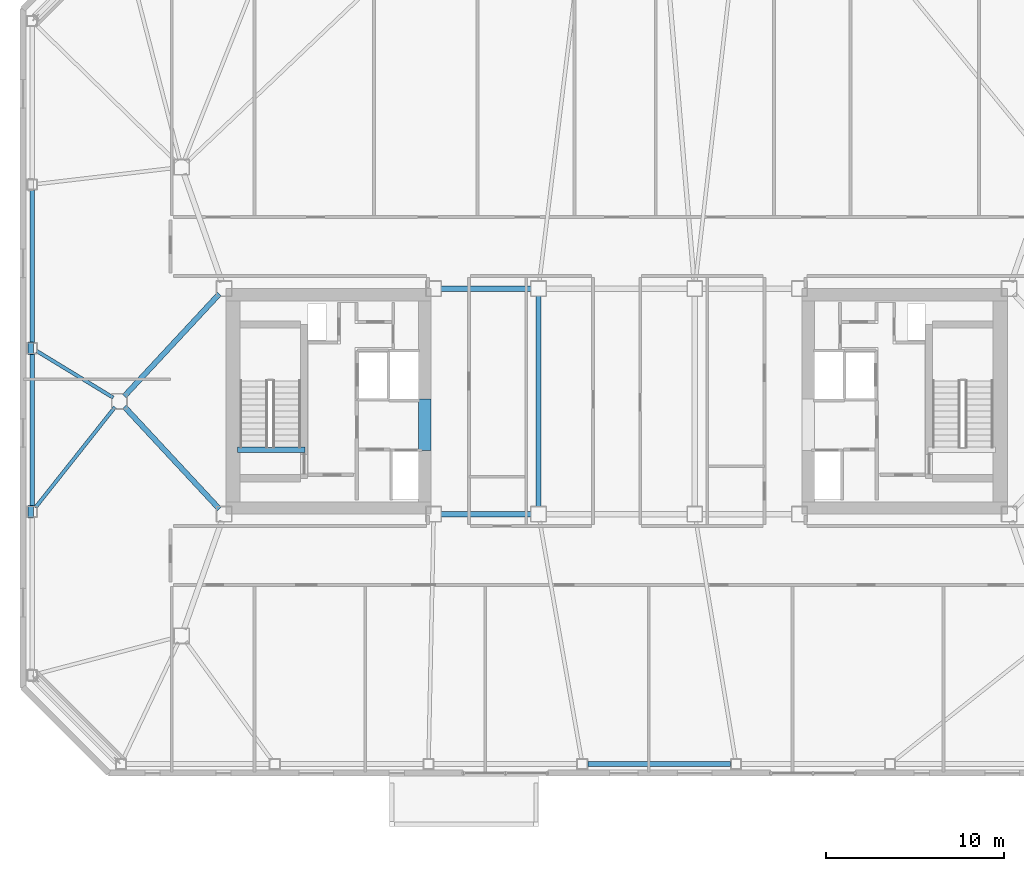
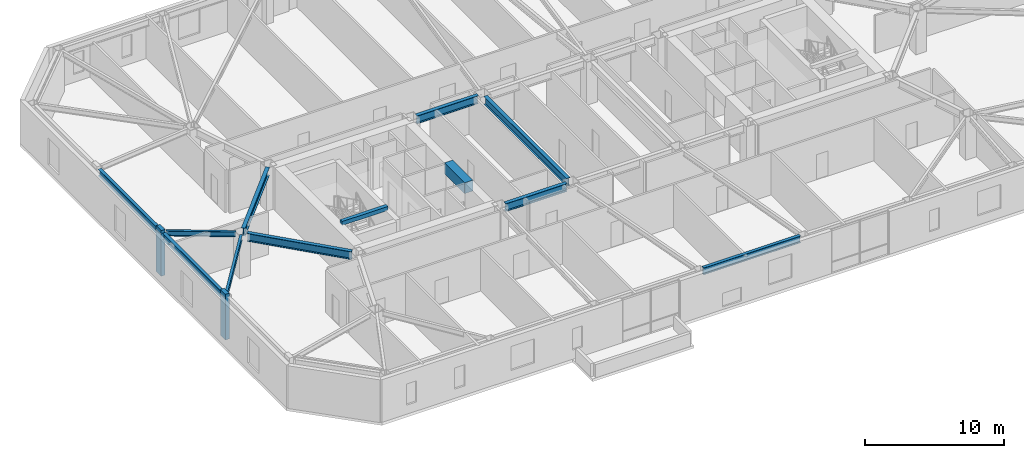
# One storey, part 3 of 18: 12 beams, 2 members.
"""IFC4 building model written with IfcOpenShell, lengths in metres."""

from ifc_helpers import new_model, si_unit, direction, frame, origin, origin_2d, place, context, subcontext, project, spatial, rectangle, i_section, extrude, material, material_profile, profile_set, type_object, element, save


model = new_model("IFC4")

# Units and contexts
model_context = context("Model", 3, precision=1e-05, world=origin(), true_north=direction((0.0, 1.0)))
body_context = subcontext(model_context, "Body", "Model", "MODEL_VIEW")
ifc_project = project(units=[si_unit("LENGTHUNIT", "METRE"), si_unit("AREAUNIT", "SQUARE_METRE"), si_unit("VOLUMEUNIT", "CUBIC_METRE"), si_unit("PLANEANGLEUNIT", "RADIAN"), si_unit("MASSUNIT", "GRAM", prefix="KILO")], contexts=[model_context])

# Site, building, storey
site_placement = place(None, origin())
site = spatial("IfcSite", under=ifc_project, at=site_placement, CompositionType="ELEMENT")
building_placement = place(site_placement, origin())
building = spatial("IfcBuilding", under=site, at=building_placement, Name="Tavrogorsk Clinical Tower", CompositionType="ELEMENT")
storey_placement = place(building_placement, frame((0.0, 0.0, 168.199951171875)))
storey = spatial("IfcBuildingStorey", under=building, at=storey_placement, Name="L38", CompositionType="ELEMENT", Elevation=168.199951171875)

# Beams
ifc_material_1 = material(Name="Concrete B80", Category="concrete")
ifc_material_profile_1 = material_profile(ifc_material_1, rectangle(XDim=0.699951171875, YDim=0.949951171875, at=origin_2d()), Name="RC-CB-700x950")
ifc_profile_set_1 = profile_set([ifc_material_profile_1], Name="Concrete B80")
beam_type_1 = type_object("IfcBeamType", Name="CouplingBeam_RC700x950", PredefinedType="LINTEL", material=ifc_profile_set_1)
beam_1_placement = place(storey_placement, frame((-10.800048828125, -2.75, 3.26513671875), z_axis=(0.0, 1.0, 0.0), x_axis=(-1.0, 0.0, 0.0)))
element("IfcBeam", 1, at=beam_1_placement, inside=storey, type_object=beam_type_1, Name="L38 Core West Coupling Beam", PredefinedType="LINTEL", context=body_context, shape_type="SweptSolid", body=[
    extrude(rectangle(XDim=0.699951171875, YDim=0.949951171875, at=origin_2d()), origin(), (0.0, 0.0, 1.0), 2.89990234375),
])
ifc_material_2 = material(Name="Structural steel S355", Category="steel")
ifc_material_profile_2 = material_profile(ifc_material_2, i_section(OverallWidth=0.199951171875, OverallDepth=0.449951171875, WebThickness=0.011474609375, FlangeThickness=0.01806640625, at=origin_2d()), Name="B-450x200x11.5x18")
ifc_profile_set_2 = profile_set([ifc_material_profile_2], Name="Structural steel S355")
beam_type_2 = type_object("IfcBeamType", Name="FloorBeam_B450", PredefinedType="BEAM", material=ifc_profile_set_2)
beam_2_placement = place(storey_placement, frame((-28.35009765625, 0.21337890625, 3.51513671875), z_axis=(-0.853789879369, 0.520617750262, 0.0), x_axis=(-0.520617750262, -0.853789879369, 0.0)))
element("IfcBeam", 2, at=beam_2_placement, inside=storey, type_object=beam_type_2, Name="L38 Radial Floor Beam W3", PredefinedType="BEAM", context=body_context, shape_type="SweptSolid", body=[
    extrude(i_section(OverallWidth=0.199951171875, OverallDepth=0.449951171875, WebThickness=0.011474609375, FlangeThickness=0.01806640625, at=origin_2d()), origin(), (0.0, 0.0, 1.0), 5.04443359375),
])
beam_3_placement = place(storey_placement, frame((-28.254638671875, -0.3212890625, 3.51513671875), z_axis=(-0.620993662543, -0.783815584868, 0.0), x_axis=(0.783815584868, -0.620993662543, 0.0)))
element("IfcBeam", 3, at=beam_3_placement, inside=storey, type_object=beam_type_2, Name="L38 Radial Floor Beam W4", PredefinedType="BEAM", context=body_context, shape_type="SweptSolid", body=[
    extrude(i_section(OverallWidth=0.199951171875, OverallDepth=0.449951171875, WebThickness=0.011474609375, FlangeThickness=0.01806640625, at=origin_2d()), origin(), (0.0, 0.0, 1.0), 7.204833984375),
])

# Members
ifc_material_3 = material(Name="Precast concrete B45 with limestone cladding", Category="masonry")
ifc_material_profile_3 = material_profile(ifc_material_3, rectangle(XDim=0.320068359375, YDim=0.719970703125, at=origin_2d()), Name="LIMESTONE-FIN-320x720")
ifc_profile_set_3 = profile_set([ifc_material_profile_3], Name="Precast concrete B45 with limestone cladding")
member_type = type_object("IfcMemberType", Name="LimestonePleatFin_320x720", PredefinedType="USERDEFINED", material=ifc_profile_set_3)
for number, where, z_axis, x_axis, name in (
    (4, (-33.0, 3.0, 0.0), (0.0, 0.0, 1.0), (1.0, 0.0, 0.0), "L38 W Pleated Stone Fin 2"),
    (5, (-33.0, -6.2099609375, 0.0), (0.0, 0.0, 1.0), (1.0, 0.0, 0.0), "L38 W Pleated Stone Fin 3"),
):
    element("IfcMember", number, at=place(storey_placement, frame(where, z_axis=z_axis, x_axis=x_axis)), inside=storey, type_object=member_type, Name=name, ObjectType="FIN", PredefinedType="USERDEFINED", context=body_context, shape_type="SweptSolid", body=[
        extrude(rectangle(XDim=0.320068359375, YDim=0.719970703125, at=origin_2d()), origin(), (0.0, 0.0, 1.0), 4.0),
    ])

# Beams
ifc_material_4 = material(Name="Structural steel S390", Category="steel")
ifc_material_profile_4 = material_profile(ifc_material_4, i_section(OverallWidth=0.300048828125, OverallDepth=0.699951171875, WebThickness=0.01708984375, FlangeThickness=0.028076171875, at=origin_2d()), Name="B-700x300x17x28")
ifc_profile_set_4 = profile_set([ifc_material_profile_4], Name="Structural steel S390")
beam_type_3 = type_object("IfcBeamType", Name="PrimaryGirder_B700", PredefinedType="USERDEFINED", material=ifc_profile_set_4)
for number, where, z_axis, x_axis, name in (
    (6, (-9.889892578125, -6.35009765625, 3.39013671875), (1.0, 0.0, 0.0), (0.0, 1.0, 0.0), "L38 Primary Spine Girder MG-01"),
    (7, (-9.889892578125, 6.35009765625, 3.39013671875), (1.0, 0.0, 0.0), (0.0, 1.0, 0.0), "L38 Primary Spine Girder MG-02"),
):
    element("IfcBeam", number, at=place(storey_placement, frame(where, z_axis=z_axis, x_axis=x_axis)), inside=storey, type_object=beam_type_3, Name=name, ObjectType="GIRDER", PredefinedType="USERDEFINED", context=body_context, shape_type="SweptSolid", body=[
        extrude(i_section(OverallWidth=0.300048828125, OverallDepth=0.699951171875, WebThickness=0.01708984375, FlangeThickness=0.028076171875, at=origin_2d()), origin(), (0.0, 0.0, 1.0), 5.079833984375),
    ])
beam_4_placement = place(storey_placement, frame((-4.39990234375, -5.93994140625, 3.39013671875), z_axis=(0.0, 1.0, 0.0), x_axis=(-1.0, 0.0, 0.0)))
element("IfcBeam", 8, at=beam_4_placement, inside=storey, type_object=beam_type_3, Name="L38 Primary Spine Girder MG-07", ObjectType="GIRDER", PredefinedType="USERDEFINED", context=body_context, shape_type="SweptSolid", body=[
    extrude(i_section(OverallWidth=0.300048828125, OverallDepth=0.699951171875, WebThickness=0.01708984375, FlangeThickness=0.028076171875, at=origin_2d()), origin(), (0.0, 0.0, 1.0), 11.8798828125),
])
for number, where, z_axis, x_axis, name in (
    (9, (-27.720947265625, -0.30029296875, 3.39013671875), (0.680669430215, -0.732590695253, 0.0), (0.732590695253, 0.680669430215, 0.0), "L38 Spine Link Girder OPG-5"),
    (10, (-27.720947265625, 0.30029296875, 3.39013671875), (0.680669430215, 0.732590695253, 0.0), (-0.732590695253, 0.680669430215, 0.0), "L38 Spine Link Girder OPG-6"),
):
    element("IfcBeam", number, at=place(storey_placement, frame(where, z_axis=z_axis, x_axis=x_axis)), inside=storey, type_object=beam_type_3, Name=name, ObjectType="GIRDER", PredefinedType="USERDEFINED", context=body_context, shape_type="SweptSolid", body=[
        extrude(i_section(OverallWidth=0.300048828125, OverallDepth=0.699951171875, WebThickness=0.01708984375, FlangeThickness=0.028076171875, at=origin_2d()), origin(), (0.0, 0.0, 1.0), 7.847900390625),
    ])
ifc_material_5 = material(Name="Structural steel S390", Category="steel")
ifc_material_profile_5 = material_profile(ifc_material_5, i_section(OverallWidth=0.260009765625, OverallDepth=0.60009765625, WebThickness=0.014892578125, FlangeThickness=0.02392578125, at=origin_2d()), Name="B-600x260x15x24")
ifc_profile_set_5 = profile_set([ifc_material_profile_5], Name="Structural steel S390")
beam_type_4 = type_object("IfcBeamType", Name="SpandrelBeam_B600", PredefinedType="SPANDREL", material=ifc_profile_set_5)
beam_5_placement = place(storey_placement, frame((-1.623291015625, -20.419921875, 3.43994140625), z_axis=(1.0, 0.0, 0.0), x_axis=(0.0, 1.0, 0.0)))
element("IfcBeam", 11, at=beam_5_placement, inside=storey, type_object=beam_type_4, Name="L38 Perimeter Spandrel S4-S5", PredefinedType="SPANDREL", context=body_context, shape_type="SweptSolid", body=[
    extrude(i_section(OverallWidth=0.260009765625, OverallDepth=0.60009765625, WebThickness=0.014892578125, FlangeThickness=0.02392578125, at=origin_2d()), origin(), (0.0, 0.0, 1.0), 8.046630859375),
])
for number, where, z_axis, x_axis, name in (
    (12, (-32.919921875, 11.902099609375, 3.43994140625), (0.0, -1.0, 0.0), (1.0, 0.0, 0.0), "L38 Perimeter Spandrel W2-W3"),
    (13, (-32.919921875, 2.69189453125, 3.43994140625), (0.0, -1.0, 0.0), (1.0, 0.0, 0.0), "L38 Perimeter Spandrel W3-W4"),
):
    element("IfcBeam", number, at=place(storey_placement, frame(where, z_axis=z_axis, x_axis=x_axis)), inside=storey, type_object=beam_type_4, Name=name, PredefinedType="SPANDREL", context=body_context, shape_type="SweptSolid", body=[
        extrude(i_section(OverallWidth=0.260009765625, OverallDepth=0.60009765625, WebThickness=0.014892578125, FlangeThickness=0.02392578125, at=origin_2d()), origin(), (0.0, 0.0, 1.0), 8.593994140625),
    ])
ifc_material_6 = material(Name="Concrete B60", Category="concrete")
ifc_material_profile_6 = material_profile(ifc_material_6, rectangle(XDim=0.300048828125, YDim=0.35009765625, at=origin_2d()), Name="RC-SHB-300x350")
ifc_profile_set_6 = profile_set([ifc_material_profile_6], Name="Concrete B60")
beam_type_5 = type_object("IfcBeamType", Name="StairHeaderBeam_RC300x350", PredefinedType="BEAM", material=ifc_profile_set_6)
beam_6_placement = place(storey_placement, frame((-21.35009765625, -2.719970703125, 3.824951171875), z_axis=(1.0, 0.0, 0.0), x_axis=(0.0, 1.0, 0.0)))
element("IfcBeam", 14, at=beam_6_placement, inside=storey, type_object=beam_type_5, Name="L39 ST-W Landing Header Beam", PredefinedType="BEAM", context=body_context, shape_type="SweptSolid", body=[
    extrude(rectangle(XDim=0.300048828125, YDim=0.35009765625, at=origin_2d()), origin(), (0.0, 0.0, 1.0), 3.800048828125),
])

save(model, "model.ifc")
